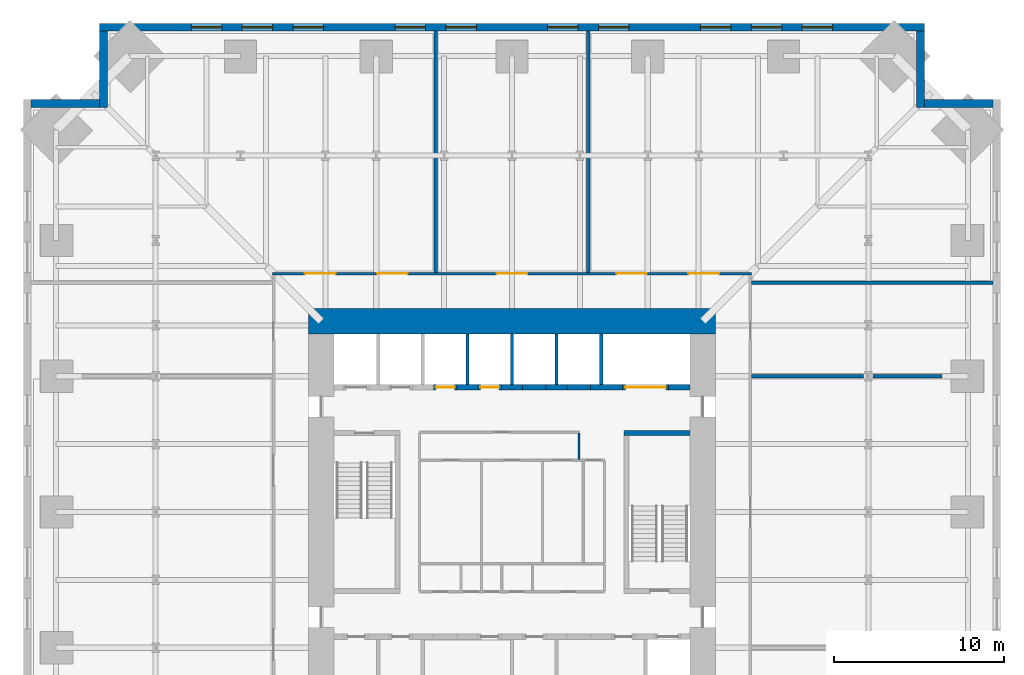
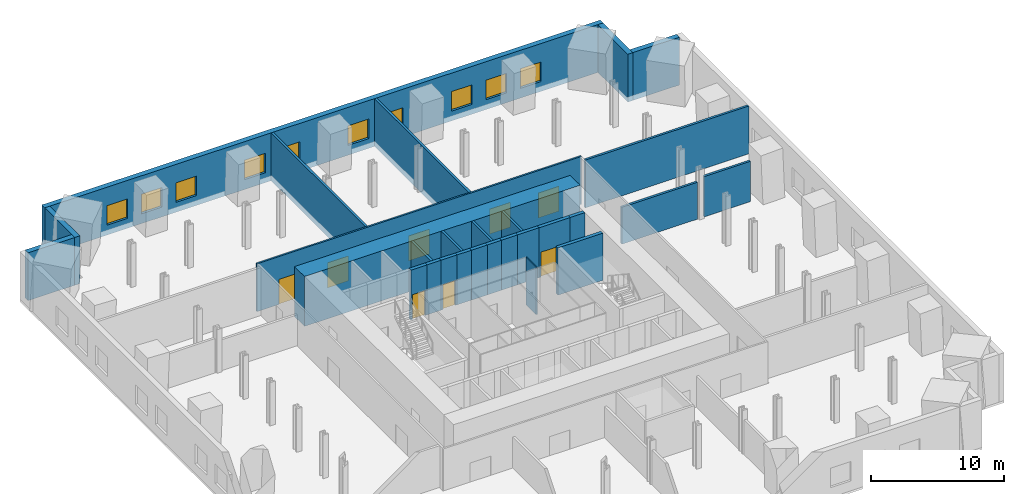
# One storey, part 7 of 9: 28 walls, 10 windows, 8 doors, 18 openings.
"""IFC4 building model written with IfcOpenShell, lengths in metres."""

from ifc_helpers import new_model, si_unit, direction, frame, frame_2d, origin, place, context, subcontext, project, spatial, rectangle, extrude, material, layer, layer_set, type_object, element, fill, save


model = new_model("IFC4")

# Units and contexts
model_context = context("Model", 3, precision=1e-05, world=origin(), true_north=direction((0.0, 1.0)))
body_context = subcontext(model_context, "Body", "Model", "MODEL_VIEW")
ifc_project = project(units=[si_unit("LENGTHUNIT", "METRE"), si_unit("AREAUNIT", "SQUARE_METRE"), si_unit("VOLUMEUNIT", "CUBIC_METRE"), si_unit("PLANEANGLEUNIT", "RADIAN"), si_unit("MASSUNIT", "GRAM", prefix="KILO")], contexts=[model_context])

# Site, building, storey
site_placement = place(None, origin())
site = spatial("IfcSite", under=ifc_project, at=site_placement, CompositionType="ELEMENT")
building_placement = place(site_placement, origin())
building = spatial("IfcBuilding", under=site, at=building_placement, Name="Peilmerk Tower", CompositionType="ELEMENT")
storey_placement = place(building_placement, frame((0.0, 0.0, 99.800048828125)))
storey = spatial("IfcBuildingStorey", under=building, at=storey_placement, Name="L19", CompositionType="ELEMENT", Elevation=99.800048828125)

# Wall, openings, windows
ifc_material_1 = material(Name="Precast concrete C45/55, board-marked finish", Category="concrete")
ifc_layer_1 = layer(ifc_material_1, 0.449951171875)
ifc_layer_set_1 = layer_set([ifc_layer_1], Name="Precast concrete C45/55, board-marked finish")
wall_type_1 = type_object("IfcWallType", Name="EW1 450 precast concrete facade wall, board-marked", PredefinedType="SOLIDWALL", material=ifc_layer_set_1)
wall_1_placement = place(storey_placement, frame((24.300048828125, 28.574951171875, 0.0), z_axis=(0.0, 0.0, 1.0), x_axis=(-1.0, 0.0, 0.0)))
wall_1 = element("IfcWall", 1, at=wall_1_placement, inside=storey, type_object=wall_type_1, Name="Facade wall N L19", PredefinedType="SOLIDWALL", context=body_context, shape_type="SweptSolid", body=[
    extrude(rectangle(XDim=48.60009765625, YDim=0.449951171875, at=frame_2d((24.300048828125, 0.0))), origin(), (0.0, 0.0, 1.0), 4.39990234375),
])
opening_1_placement = place(wall_1_placement, frame((5.39990234375, 0.0, 0.89990234375)))
opening_1 = element("IfcOpeningElement", 2, at=opening_1_placement, cuts=wall_1, Name="Opening W3", PredefinedType="OPENING", context=body_context, shape_type="SweptSolid", body=[
    extrude(rectangle(XDim=1.800048828125, YDim=1.800048828125, at=frame_2d((0.89990234375, 0.89990234375))), frame((0.0, 0.23486328125, 0.0), z_axis=(0.0, -1.0, 0.0), x_axis=(1.0, 0.0, 0.0)), (0.0, 0.0, 1.0), 0.469970703125),
])
opening_2_placement = place(wall_1_placement, frame((8.39990234375, 0.0, 0.89990234375)))
opening_2 = element("IfcOpeningElement", 3, at=opening_2_placement, cuts=wall_1, Name="Opening W3", PredefinedType="OPENING", context=body_context, shape_type="SweptSolid", body=[
    extrude(rectangle(XDim=1.800048828125, YDim=1.800048828125, at=frame_2d((0.89990234375, 0.89990234375))), frame((0.0, 0.23486328125, 0.0), z_axis=(0.0, -1.0, 0.0), x_axis=(1.0, 0.0, 0.0)), (0.0, 0.0, 1.0), 0.469970703125),
])
opening_3_placement = place(wall_1_placement, frame((11.39990234375, 0.0, 0.89990234375)))
opening_3 = element("IfcOpeningElement", 4, at=opening_3_placement, cuts=wall_1, Name="Opening W3", PredefinedType="OPENING", context=body_context, shape_type="SweptSolid", body=[
    extrude(rectangle(XDim=1.800048828125, YDim=1.800048828125, at=frame_2d((0.89990234375, 0.89990234375))), frame((0.0, 0.23486328125, 0.0), z_axis=(0.0, -1.0, 0.0), x_axis=(1.0, 0.0, 0.0)), (0.0, 0.0, 1.0), 0.469970703125),
])
opening_4_placement = place(wall_1_placement, frame((17.39990234375, 0.0, 0.89990234375)))
opening_4 = element("IfcOpeningElement", 5, at=opening_4_placement, cuts=wall_1, Name="Opening W3", PredefinedType="OPENING", context=body_context, shape_type="SweptSolid", body=[
    extrude(rectangle(XDim=1.800048828125, YDim=1.800048828125, at=frame_2d((0.89990234375, 0.89990234375))), frame((0.0, 0.23486328125, 0.0), z_axis=(0.0, -1.0, 0.0), x_axis=(1.0, 0.0, 0.0)), (0.0, 0.0, 1.0), 0.469970703125),
])
opening_5_placement = place(wall_1_placement, frame((20.39990234375, 0.0, 0.89990234375)))
opening_5 = element("IfcOpeningElement", 6, at=opening_5_placement, cuts=wall_1, Name="Opening W3", PredefinedType="OPENING", context=body_context, shape_type="SweptSolid", body=[
    extrude(rectangle(XDim=1.800048828125, YDim=1.800048828125, at=frame_2d((0.89990234375, 0.89990234375))), frame((0.0, 0.23486328125, 0.0), z_axis=(0.0, -1.0, 0.0), x_axis=(1.0, 0.0, 0.0)), (0.0, 0.0, 1.0), 0.469970703125),
])
opening_6_placement = place(wall_1_placement, frame((26.39990234375, 0.0, 0.89990234375)))
opening_6 = element("IfcOpeningElement", 7, at=opening_6_placement, cuts=wall_1, Name="Opening W3", PredefinedType="OPENING", context=body_context, shape_type="SweptSolid", body=[
    extrude(rectangle(XDim=1.800048828125, YDim=1.800048828125, at=frame_2d((0.89990234375, 0.89990234375))), frame((0.0, 0.23486328125, 0.0), z_axis=(0.0, -1.0, 0.0), x_axis=(1.0, 0.0, 0.0)), (0.0, 0.0, 1.0), 0.469970703125),
])
opening_7_placement = place(wall_1_placement, frame((29.39990234375, 0.0, 0.89990234375)))
opening_7 = element("IfcOpeningElement", 8, at=opening_7_placement, cuts=wall_1, Name="Opening W3", PredefinedType="OPENING", context=body_context, shape_type="SweptSolid", body=[
    extrude(rectangle(XDim=1.800048828125, YDim=1.800048828125, at=frame_2d((0.89990234375, 0.89990234375))), frame((0.0, 0.23486328125, 0.0), z_axis=(0.0, -1.0, 0.0), x_axis=(1.0, 0.0, 0.0)), (0.0, 0.0, 1.0), 0.469970703125),
])
opening_8_placement = place(wall_1_placement, frame((35.39990234375, 0.0, 0.89990234375)))
opening_8 = element("IfcOpeningElement", 9, at=opening_8_placement, cuts=wall_1, Name="Opening W3", PredefinedType="OPENING", context=body_context, shape_type="SweptSolid", body=[
    extrude(rectangle(XDim=1.800048828125, YDim=1.800048828125, at=frame_2d((0.89990234375, 0.89990234375))), frame((0.0, 0.23486328125, 0.0), z_axis=(0.0, -1.0, 0.0), x_axis=(1.0, 0.0, 0.0)), (0.0, 0.0, 1.0), 0.469970703125),
])
opening_9_placement = place(wall_1_placement, frame((38.39990234375, 0.0, 0.89990234375)))
opening_9 = element("IfcOpeningElement", 10, at=opening_9_placement, cuts=wall_1, Name="Opening W3", PredefinedType="OPENING", context=body_context, shape_type="SweptSolid", body=[
    extrude(rectangle(XDim=1.800048828125, YDim=1.800048828125, at=frame_2d((0.89990234375, 0.89990234375))), frame((0.0, 0.23486328125, 0.0), z_axis=(0.0, -1.0, 0.0), x_axis=(1.0, 0.0, 0.0)), (0.0, 0.0, 1.0), 0.469970703125),
])
opening_10_placement = place(wall_1_placement, frame((41.39990234375, 0.0, 0.89990234375)))
opening_10 = element("IfcOpeningElement", 11, at=opening_10_placement, cuts=wall_1, Name="Opening W3", PredefinedType="OPENING", context=body_context, shape_type="SweptSolid", body=[
    extrude(rectangle(XDim=1.800048828125, YDim=1.800048828125, at=frame_2d((0.89990234375, 0.89990234375))), frame((0.0, 0.23486328125, 0.0), z_axis=(0.0, -1.0, 0.0), x_axis=(1.0, 0.0, 0.0)), (0.0, 0.0, 1.0), 0.469970703125),
])
ifc_material_2 = material(Name="Aluminium frame, clear double glazing", Category="aluminium")
window_type = type_object("IfcWindowType", Name="W3 1800x1800 telecom floor window", PartitioningType="SINGLE_PANEL", PredefinedType="WINDOW", material=ifc_material_2)
window_1_placement = place(opening_1_placement, origin())
window_1 = element("IfcWindow", 12, at=window_1_placement, inside=storey, type_object=window_type, Name="Window W3 L19", OverallHeight=1.800048828125, OverallWidth=1.800048828125, PartitioningType="SINGLE_PANEL", PredefinedType="WINDOW", context=body_context, shape_type="SweptSolid", body=[
    extrude(rectangle(XDim=1.800048828125, YDim=1.800048828125, at=frame_2d((0.89990234375, 0.89990234375))), frame((0.0, 0.030029296875, 0.0), z_axis=(0.0, -1.0, 0.0), x_axis=(1.0, 0.0, 0.0)), (0.0, 0.0, 1.0), 0.06005859375),
])
fill(opening_1, window_1)
window_2_placement = place(opening_2_placement, origin())
window_2 = element("IfcWindow", 13, at=window_2_placement, inside=storey, type_object=window_type, Name="Window W3 L19", OverallHeight=1.800048828125, OverallWidth=1.800048828125, PartitioningType="SINGLE_PANEL", PredefinedType="WINDOW", context=body_context, shape_type="SweptSolid", body=[
    extrude(rectangle(XDim=1.800048828125, YDim=1.800048828125, at=frame_2d((0.89990234375, 0.89990234375))), frame((0.0, 0.030029296875, 0.0), z_axis=(0.0, -1.0, 0.0), x_axis=(1.0, 0.0, 0.0)), (0.0, 0.0, 1.0), 0.06005859375),
])
fill(opening_2, window_2)
window_3_placement = place(opening_3_placement, origin())
window_3 = element("IfcWindow", 14, at=window_3_placement, inside=storey, type_object=window_type, Name="Window W3 L19", OverallHeight=1.800048828125, OverallWidth=1.800048828125, PartitioningType="SINGLE_PANEL", PredefinedType="WINDOW", context=body_context, shape_type="SweptSolid", body=[
    extrude(rectangle(XDim=1.800048828125, YDim=1.800048828125, at=frame_2d((0.89990234375, 0.89990234375))), frame((0.0, 0.030029296875, 0.0), z_axis=(0.0, -1.0, 0.0), x_axis=(1.0, 0.0, 0.0)), (0.0, 0.0, 1.0), 0.06005859375),
])
fill(opening_3, window_3)
window_4_placement = place(opening_4_placement, origin())
window_4 = element("IfcWindow", 15, at=window_4_placement, inside=storey, type_object=window_type, Name="Window W3 L19", OverallHeight=1.800048828125, OverallWidth=1.800048828125, PartitioningType="SINGLE_PANEL", PredefinedType="WINDOW", context=body_context, shape_type="SweptSolid", body=[
    extrude(rectangle(XDim=1.800048828125, YDim=1.800048828125, at=frame_2d((0.89990234375, 0.89990234375))), frame((0.0, 0.030029296875, 0.0), z_axis=(0.0, -1.0, 0.0), x_axis=(1.0, 0.0, 0.0)), (0.0, 0.0, 1.0), 0.06005859375),
])
fill(opening_4, window_4)
window_5_placement = place(opening_5_placement, origin())
window_5 = element("IfcWindow", 16, at=window_5_placement, inside=storey, type_object=window_type, Name="Window W3 L19", OverallHeight=1.800048828125, OverallWidth=1.800048828125, PartitioningType="SINGLE_PANEL", PredefinedType="WINDOW", context=body_context, shape_type="SweptSolid", body=[
    extrude(rectangle(XDim=1.800048828125, YDim=1.800048828125, at=frame_2d((0.89990234375, 0.89990234375))), frame((0.0, 0.030029296875, 0.0), z_axis=(0.0, -1.0, 0.0), x_axis=(1.0, 0.0, 0.0)), (0.0, 0.0, 1.0), 0.06005859375),
])
fill(opening_5, window_5)
window_6_placement = place(opening_6_placement, origin())
window_6 = element("IfcWindow", 17, at=window_6_placement, inside=storey, type_object=window_type, Name="Window W3 L19", OverallHeight=1.800048828125, OverallWidth=1.800048828125, PartitioningType="SINGLE_PANEL", PredefinedType="WINDOW", context=body_context, shape_type="SweptSolid", body=[
    extrude(rectangle(XDim=1.800048828125, YDim=1.800048828125, at=frame_2d((0.89990234375, 0.89990234375))), frame((0.0, 0.030029296875, 0.0), z_axis=(0.0, -1.0, 0.0), x_axis=(1.0, 0.0, 0.0)), (0.0, 0.0, 1.0), 0.06005859375),
])
fill(opening_6, window_6)
window_7_placement = place(opening_7_placement, origin())
window_7 = element("IfcWindow", 18, at=window_7_placement, inside=storey, type_object=window_type, Name="Window W3 L19", OverallHeight=1.800048828125, OverallWidth=1.800048828125, PartitioningType="SINGLE_PANEL", PredefinedType="WINDOW", context=body_context, shape_type="SweptSolid", body=[
    extrude(rectangle(XDim=1.800048828125, YDim=1.800048828125, at=frame_2d((0.89990234375, 0.89990234375))), frame((0.0, 0.030029296875, 0.0), z_axis=(0.0, -1.0, 0.0), x_axis=(1.0, 0.0, 0.0)), (0.0, 0.0, 1.0), 0.06005859375),
])
fill(opening_7, window_7)
window_8_placement = place(opening_8_placement, origin())
window_8 = element("IfcWindow", 19, at=window_8_placement, inside=storey, type_object=window_type, Name="Window W3 L19", OverallHeight=1.800048828125, OverallWidth=1.800048828125, PartitioningType="SINGLE_PANEL", PredefinedType="WINDOW", context=body_context, shape_type="SweptSolid", body=[
    extrude(rectangle(XDim=1.800048828125, YDim=1.800048828125, at=frame_2d((0.89990234375, 0.89990234375))), frame((0.0, 0.030029296875, 0.0), z_axis=(0.0, -1.0, 0.0), x_axis=(1.0, 0.0, 0.0)), (0.0, 0.0, 1.0), 0.06005859375),
])
fill(opening_8, window_8)
window_9_placement = place(opening_9_placement, origin())
window_9 = element("IfcWindow", 20, at=window_9_placement, inside=storey, type_object=window_type, Name="Window W3 L19", OverallHeight=1.800048828125, OverallWidth=1.800048828125, PartitioningType="SINGLE_PANEL", PredefinedType="WINDOW", context=body_context, shape_type="SweptSolid", body=[
    extrude(rectangle(XDim=1.800048828125, YDim=1.800048828125, at=frame_2d((0.89990234375, 0.89990234375))), frame((0.0, 0.030029296875, 0.0), z_axis=(0.0, -1.0, 0.0), x_axis=(1.0, 0.0, 0.0)), (0.0, 0.0, 1.0), 0.06005859375),
])
fill(opening_9, window_9)
window_10_placement = place(opening_10_placement, origin())
window_10 = element("IfcWindow", 21, at=window_10_placement, inside=storey, type_object=window_type, Name="Window W3 L19", OverallHeight=1.800048828125, OverallWidth=1.800048828125, PartitioningType="SINGLE_PANEL", PredefinedType="WINDOW", context=body_context, shape_type="SweptSolid", body=[
    extrude(rectangle(XDim=1.800048828125, YDim=1.800048828125, at=frame_2d((0.89990234375, 0.89990234375))), frame((0.0, 0.030029296875, 0.0), z_axis=(0.0, -1.0, 0.0), x_axis=(1.0, 0.0, 0.0)), (0.0, 0.0, 1.0), 0.06005859375),
])
fill(opening_10, window_10)

# Walls
wall_2_placement = place(storey_placement, frame((24.074951171875, 23.85009765625, 0.0), z_axis=(0.0, 0.0, 1.0), x_axis=(0.0, 1.0, 0.0)))
element("IfcWall", 22, at=wall_2_placement, inside=storey, type_object=wall_type_1, Name="Facade wall NEA L19", PredefinedType="SOLIDWALL", context=body_context, shape_type="SweptSolid", body=[
    extrude(rectangle(XDim=4.5, YDim=0.449951171875, at=frame_2d((2.25, 0.0))), origin(), (0.0, 0.0, 1.0), 4.39990234375),
])
wall_3_placement = place(storey_placement, frame((24.300048828125, 24.074951171875, 0.0), z_axis=(0.0, 0.0, 1.0), x_axis=(1.0, 0.0, 0.0)))
element("IfcWall", 23, at=wall_3_placement, inside=storey, type_object=wall_type_1, Name="Facade wall NEB L19", PredefinedType="SOLIDWALL", context=body_context, shape_type="SweptSolid", body=[
    extrude(rectangle(XDim=4.050048828125, YDim=0.449951171875, at=frame_2d((2.02490234375, 0.0))), origin(), (0.0, 0.0, 1.0), 4.39990234375),
])
wall_4_placement = place(storey_placement, frame((-24.074951171875, 23.85009765625, 0.0), z_axis=(0.0, 0.0, 1.0), x_axis=(0.0, 1.0, 0.0)))
element("IfcWall", 24, at=wall_4_placement, inside=storey, type_object=wall_type_1, Name="Facade wall NWA L19", PredefinedType="SOLIDWALL", context=body_context, shape_type="SweptSolid", body=[
    extrude(rectangle(XDim=4.5, YDim=0.449951171875, at=frame_2d((2.25, 0.0))), origin(), (0.0, 0.0, 1.0), 4.39990234375),
])
wall_5_placement = place(storey_placement, frame((-24.300048828125, 24.074951171875, 0.0), z_axis=(0.0, 0.0, 1.0), x_axis=(-1.0, 0.0, 0.0)))
element("IfcWall", 25, at=wall_5_placement, inside=storey, type_object=wall_type_1, Name="Facade wall NWB L19", PredefinedType="SOLIDWALL", context=body_context, shape_type="SweptSolid", body=[
    extrude(rectangle(XDim=4.050048828125, YDim=0.449951171875, at=frame_2d((2.02490234375, 0.0))), origin(), (0.0, 0.0, 1.0), 4.39990234375),
])

# Wall, openings, doors
ifc_material_3 = material(Name="Calcium silicate block", Category="masonry")
ifc_layer_2 = layer(ifc_material_3, 0.14990234375)
ifc_layer_set_2 = layer_set([ifc_layer_2], Name="Calcium silicate block")
wall_type_2 = type_object("IfcWallType", Name="IW1 150 corridor partition, EI 60", PredefinedType="PARTITIONING", material=ifc_layer_set_2)
wall_6_placement = place(storey_placement, frame((-14.125, 14.050048828125, 0.0), z_axis=(0.0, 0.0, 1.0), x_axis=(1.0, 0.0, 0.0)))
wall_6 = element("IfcWall", 26, at=wall_6_placement, inside=storey, type_object=wall_type_2, Name="Corridor wall N L19", PredefinedType="PARTITIONING", context=body_context, shape_type="SweptSolid", body=[
    extrude(rectangle(XDim=28.25, YDim=0.14990234375, at=frame_2d((14.125, 0.0))), origin(), (0.0, 0.0, 1.0), 4.39990234375),
])
opening_11_placement = place(wall_6_placement, frame((1.925048828125, 0.0, 0.0)))
opening_11 = element("IfcOpeningElement", 27, at=opening_11_placement, cuts=wall_6, Name="Opening D2", PredefinedType="OPENING", context=body_context, shape_type="SweptSolid", body=[
    extrude(rectangle(XDim=1.800048828125, YDim=2.300048828125, at=frame_2d((0.89990234375, 1.14990234375))), frame((0.0, 0.0849609375, 0.0), z_axis=(0.0, -1.0, 0.0), x_axis=(1.0, 0.0, 0.0)), (0.0, 0.0, 1.0), 0.169921875),
])
opening_12_placement = place(wall_6_placement, frame((6.175048828125, 0.0, 0.0)))
opening_12 = element("IfcOpeningElement", 28, at=opening_12_placement, cuts=wall_6, Name="Opening D2", PredefinedType="OPENING", context=body_context, shape_type="SweptSolid", body=[
    extrude(rectangle(XDim=1.800048828125, YDim=2.300048828125, at=frame_2d((0.89990234375, 1.14990234375))), frame((0.0, 0.0849609375, 0.0), z_axis=(0.0, -1.0, 0.0), x_axis=(1.0, 0.0, 0.0)), (0.0, 0.0, 1.0), 0.169921875),
])
opening_13_placement = place(wall_6_placement, frame((13.22509765625, 0.0, 0.0)))
opening_13 = element("IfcOpeningElement", 29, at=opening_13_placement, cuts=wall_6, Name="Opening D2", PredefinedType="OPENING", context=body_context, shape_type="SweptSolid", body=[
    extrude(rectangle(XDim=1.800048828125, YDim=2.300048828125, at=frame_2d((0.89990234375, 1.14990234375))), frame((0.0, 0.0849609375, 0.0), z_axis=(0.0, -1.0, 0.0), x_axis=(1.0, 0.0, 0.0)), (0.0, 0.0, 1.0), 0.169921875),
])
opening_14_placement = place(wall_6_placement, frame((20.27490234375, 0.0, 0.0)))
opening_14 = element("IfcOpeningElement", 30, at=opening_14_placement, cuts=wall_6, Name="Opening D2", PredefinedType="OPENING", context=body_context, shape_type="SweptSolid", body=[
    extrude(rectangle(XDim=1.800048828125, YDim=2.300048828125, at=frame_2d((0.89990234375, 1.14990234375))), frame((0.0, 0.0849609375, 0.0), z_axis=(0.0, -1.0, 0.0), x_axis=(1.0, 0.0, 0.0)), (0.0, 0.0, 1.0), 0.169921875),
])
opening_15_placement = place(wall_6_placement, frame((24.52490234375, 0.0, 0.0)))
opening_15 = element("IfcOpeningElement", 31, at=opening_15_placement, cuts=wall_6, Name="Opening D2", PredefinedType="OPENING", context=body_context, shape_type="SweptSolid", body=[
    extrude(rectangle(XDim=1.800048828125, YDim=2.300048828125, at=frame_2d((0.89990234375, 1.14990234375))), frame((0.0, 0.0849609375, 0.0), z_axis=(0.0, -1.0, 0.0), x_axis=(1.0, 0.0, 0.0)), (0.0, 0.0, 1.0), 0.169921875),
])
ifc_material_4 = material(Name="Steel door in steel frame", Category="steel")
door_type_1 = type_object("IfcDoorType", Name="D2 1800x2300 double door, EI2 60", OperationType="DOUBLE_DOOR_DOUBLE_SWING", PredefinedType="DOOR", material=ifc_material_4)
door_1_placement = place(opening_11_placement, origin())
door_1 = element("IfcDoor", 32, at=door_1_placement, inside=storey, type_object=door_type_1, Name="Door Telecom equipment room A L19", OperationType="DOUBLE_DOOR_DOUBLE_SWING", OverallHeight=2.300048828125, OverallWidth=1.800048828125, PredefinedType="DOOR", context=body_context, shape_type="SweptSolid", body=[
    extrude(rectangle(XDim=1.800048828125, YDim=2.300048828125, at=frame_2d((0.89990234375, 1.14990234375))), frame((0.0, 0.02490234375, 0.0), z_axis=(0.0, -1.0, 0.0), x_axis=(1.0, 0.0, 0.0)), (0.0, 0.0, 1.0), 0.050048828125),
])
fill(opening_11, door_1)
door_2_placement = place(opening_12_placement, origin())
door_2 = element("IfcDoor", 33, at=door_2_placement, inside=storey, type_object=door_type_1, Name="Door Telecom equipment room A L19", OperationType="DOUBLE_DOOR_DOUBLE_SWING", OverallHeight=2.300048828125, OverallWidth=1.800048828125, PredefinedType="DOOR", context=body_context, shape_type="SweptSolid", body=[
    extrude(rectangle(XDim=1.800048828125, YDim=2.300048828125, at=frame_2d((0.89990234375, 1.14990234375))), frame((0.0, 0.02490234375, 0.0), z_axis=(0.0, -1.0, 0.0), x_axis=(1.0, 0.0, 0.0)), (0.0, 0.0, 1.0), 0.050048828125),
])
fill(opening_12, door_2)
door_3_placement = place(opening_13_placement, origin())
door_3 = element("IfcDoor", 34, at=door_3_placement, inside=storey, type_object=door_type_1, Name="Door Telecom equipment room B L19", OperationType="DOUBLE_DOOR_DOUBLE_SWING", OverallHeight=2.300048828125, OverallWidth=1.800048828125, PredefinedType="DOOR", context=body_context, shape_type="SweptSolid", body=[
    extrude(rectangle(XDim=1.800048828125, YDim=2.300048828125, at=frame_2d((0.89990234375, 1.14990234375))), frame((0.0, 0.02490234375, 0.0), z_axis=(0.0, -1.0, 0.0), x_axis=(1.0, 0.0, 0.0)), (0.0, 0.0, 1.0), 0.050048828125),
])
fill(opening_13, door_3)
door_4_placement = place(opening_14_placement, origin())
door_4 = element("IfcDoor", 35, at=door_4_placement, inside=storey, type_object=door_type_1, Name="Door Telecom equipment room C L19", OperationType="DOUBLE_DOOR_DOUBLE_SWING", OverallHeight=2.300048828125, OverallWidth=1.800048828125, PredefinedType="DOOR", context=body_context, shape_type="SweptSolid", body=[
    extrude(rectangle(XDim=1.800048828125, YDim=2.300048828125, at=frame_2d((0.89990234375, 1.14990234375))), frame((0.0, 0.02490234375, 0.0), z_axis=(0.0, -1.0, 0.0), x_axis=(1.0, 0.0, 0.0)), (0.0, 0.0, 1.0), 0.050048828125),
])
fill(opening_14, door_4)
door_5_placement = place(opening_15_placement, origin())
door_5 = element("IfcDoor", 36, at=door_5_placement, inside=storey, type_object=door_type_1, Name="Door Telecom equipment room C L19", OperationType="DOUBLE_DOOR_DOUBLE_SWING", OverallHeight=2.300048828125, OverallWidth=1.800048828125, PredefinedType="DOOR", context=body_context, shape_type="SweptSolid", body=[
    extrude(rectangle(XDim=1.800048828125, YDim=2.300048828125, at=frame_2d((0.89990234375, 1.14990234375))), frame((0.0, 0.02490234375, 0.0), z_axis=(0.0, -1.0, 0.0), x_axis=(1.0, 0.0, 0.0)), (0.0, 0.0, 1.0), 0.050048828125),
])
fill(opening_15, door_5)

# Walls
ifc_layer_3 = layer(ifc_material_3, 0.199951171875)
ifc_layer_set_3 = layer_set([ifc_layer_3], Name="Calcium silicate block")
wall_type_3 = type_object("IfcWallType", Name="IW2 200 room separating wall, EI 120", PredefinedType="PARTITIONING", material=ifc_layer_set_3)
for number, where, z_axis, x_axis, name in (
    (37, (14.125, 13.5, 0.0), (0.0, 0.0, 1.0), (1.0, 0.0, 0.0), "Room separating wall NE L19"),
    (38, (-4.5, 14.125, 0.0), (0.0, 0.0, 1.0), (0.0, 1.0, 0.0), "Room separating wall N1 L19"),
    (39, (4.5, 14.125, 0.0), (0.0, 0.0, 1.0), (0.0, 1.0, 0.0), "Room separating wall N2 L19"),
):
    element("IfcWall", number, at=place(storey_placement, frame(where, z_axis=z_axis, x_axis=x_axis)), inside=storey, type_object=wall_type_3, Name=name, PredefinedType="PARTITIONING", context=body_context, shape_type="SweptSolid", body=[
        extrude(rectangle(XDim=14.22509765625, YDim=0.199951171875, at=frame_2d((7.112548828125, 0.0))), origin(), (0.0, 0.0, 1.0), 4.39990234375),
    ])
wall_7_placement = place(storey_placement, frame((14.125, 8.0, 0.0), z_axis=(0.0, 0.0, 1.0), x_axis=(1.0, 0.0, 0.0)))
element("IfcWall", 40, at=wall_7_placement, inside=storey, type_object=wall_type_3, Name="Room separating wall E2 L19", PredefinedType="PARTITIONING", context=body_context, shape_type="SweptSolid", body=[
    extrude(rectangle(XDim=6.590576171875, YDim=0.199951171875, at=frame_2d((3.29541015625, 0.0))), origin(), (0.0, 0.0, 1.0), 3.391845703125),
])
wall_8_placement = place(storey_placement, frame((21.284423828125, 8.0, 0.0), z_axis=(0.0, 0.0, 1.0), x_axis=(1.0, 0.0, 0.0)))
element("IfcWall", 41, at=wall_8_placement, inside=storey, type_object=wall_type_3, Name="Room separating wall E2b L19", PredefinedType="PARTITIONING", context=body_context, shape_type="SweptSolid", body=[
    extrude(rectangle(XDim=4.05908203125, YDim=0.199951171875, at=frame_2d((2.029541015625, 0.0))), origin(), (0.0, 0.0, 1.0), 3.7099609375),
])
ifc_material_5 = material(Name="Concrete C35/45", Category="concrete")
ifc_layer_4 = layer(ifc_material_5, 0.300048828125)
ifc_layer_set_4 = layer_set([ifc_layer_4], Name="Concrete C35/45")
wall_type_4 = type_object("IfcWallType", Name="IW3 300 concrete stair enclosure wall, EI 120", PredefinedType="SOLIDWALL", material=ifc_layer_set_4)
wall_9_placement = place(storey_placement, frame((6.60009765625, 4.64990234375, 0.0), z_axis=(0.0, 0.0, 1.0), x_axis=(1.0, 0.0, 0.0)))
element("IfcWall", 42, at=wall_9_placement, inside=storey, type_object=wall_type_4, Name="Stair 2 enclosure L19", PredefinedType="SOLIDWALL", context=body_context, shape_type="SweptSolid", body=[
    extrude(rectangle(XDim=3.89990234375, YDim=0.300048828125, at=frame_2d((1.949951171875, 0.0))), origin(), (0.0, 0.0, 1.0), 4.349853515625),
])
ifc_material_6 = material(Name="Fire-resisting plasterboard on steel studs", Category="steel")
ifc_layer_5 = layer(ifc_material_6, 0.10009765625)
ifc_layer_set_5 = layer_set([ifc_layer_5], Name="Fire-resisting plasterboard on steel studs")
wall_type_5 = type_object("IfcWallType", Name="IW9 100 WC lobby wall, EI 30", PredefinedType="PARTITIONING", material=ifc_layer_set_5)
wall_10_placement = place(storey_placement, frame((3.949951171875, 3.10009765625, 0.0), z_axis=(0.0, 0.0, 1.0), x_axis=(0.0, 1.0, 0.0)))
element("IfcWall", 43, at=wall_10_placement, inside=storey, type_object=wall_type_5, Name="WC lobby wall L19", PredefinedType="PARTITIONING", context=body_context, shape_type="SweptSolid", body=[
    extrude(rectangle(XDim=1.5498046875, YDim=0.10009765625, at=frame_2d((0.77490234375, 0.0))), origin(), (0.0, 0.0, 1.0), 4.349853515625),
])
ifc_layer_6 = layer(ifc_material_3, 0.199951171875)
ifc_layer_set_6 = layer_set([ifc_layer_6], Name="Calcium silicate block")
wall_type_6 = type_object("IfcWallType", Name="SH1 200 shaft dividing wall, EI 120", PredefinedType="PARTITIONING", material=ifc_layer_set_6)
for number, where, z_axis, x_axis, name in (
    (44, (-2.625, 7.5, 0.0), (0.0, 0.0, 1.0), (0.0, 1.0, 0.0), "Shaft wall N A2 L19"),
    (45, (0.0, 7.5, 0.0), (0.0, 0.0, 1.0), (0.0, 1.0, 0.0), "Shaft wall N A3 L19"),
    (46, (2.625, 7.5, 0.0), (0.0, 0.0, 1.0), (0.0, 1.0, 0.0), "Shaft wall N S1 L19"),
    (47, (5.25, 7.5, 0.0), (0.0, 0.0, 1.0), (0.0, 1.0, 0.0), "Shaft wall N S2 L19"),
):
    element("IfcWall", number, at=place(storey_placement, frame(where, z_axis=z_axis, x_axis=x_axis)), inside=storey, type_object=wall_type_6, Name=name, PredefinedType="PARTITIONING", context=body_context, shape_type="SweptSolid", body=[
        extrude(rectangle(XDim=3.0, YDim=0.199951171875, at=frame_2d((1.5, 0.0))), origin(), (0.0, 0.0, 1.0), 4.599853515625),
    ])

# Wall, opening, door
ifc_layer_7 = layer(ifc_material_3, 0.300048828125)
ifc_layer_set_7 = layer_set([ifc_layer_7], Name="Calcium silicate block")
wall_type_7 = type_object("IfcWallType", Name="SH2 300 lift landing door panel, EI 120", PredefinedType="PARTITIONING", material=ifc_layer_set_7)
wall_11_placement = place(storey_placement, frame((-4.637451171875, 7.35009765625, 0.0), z_axis=(0.0, 0.0, 1.0), x_axis=(1.0, 0.0, 0.0)))
wall_11 = element("IfcWall", 48, at=wall_11_placement, inside=storey, type_object=wall_type_7, Name="Lift door panel N A2 L19", PredefinedType="PARTITIONING", context=body_context, shape_type="SweptSolid", body=[
    extrude(rectangle(XDim=1.39990234375, YDim=0.300048828125, at=frame_2d((0.699951171875, 0.0))), origin(), (0.0, 0.0, 1.0), 4.599853515625),
])
opening_16_placement = place(wall_11_placement, frame((0.14990234375, 0.0, 0.0)))
opening_16 = element("IfcOpeningElement", 49, at=opening_16_placement, cuts=wall_11, Name="Opening LD1", PredefinedType="OPENING", context=body_context, shape_type="SweptSolid", body=[
    extrude(rectangle(XDim=1.10009765625, YDim=2.300048828125, at=frame_2d((0.550048828125, 1.14990234375))), frame((0.0, 0.159912109375, 0.0), z_axis=(0.0, -1.0, 0.0), x_axis=(1.0, 0.0, 0.0)), (0.0, 0.0, 1.0), 0.320068359375),
])
ifc_material_7 = material(Name="Stainless steel landing door", Category="steel")
door_type_2 = type_object("IfcDoorType", Name="LD1 1100x2300 lift landing door, sliding, EI2 60", OperationType="SLIDING_TO_LEFT", PredefinedType="DOOR", material=ifc_material_7)
door_6_placement = place(opening_16_placement, frame((1.10009765625, 0.0, 0.0), z_axis=(0.0, 0.0, 1.0), x_axis=(-1.0, 0.0, 0.0)))
door_6 = element("IfcDoor", 50, at=door_6_placement, inside=storey, type_object=door_type_2, Name="Lift landing door A2 L19", OperationType="SLIDING_TO_LEFT", OverallHeight=2.300048828125, OverallWidth=1.10009765625, PredefinedType="DOOR", context=body_context, shape_type="SweptSolid", body=[
    extrude(rectangle(XDim=1.10009765625, YDim=2.300048828125, at=frame_2d((0.550048828125, 1.14990234375))), frame((0.0, 0.02490234375, 0.0), z_axis=(0.0, -1.0, 0.0), x_axis=(1.0, 0.0, 0.0)), (0.0, 0.0, 1.0), 0.050048828125),
])
fill(opening_16, door_6)

wall_12_placement = place(storey_placement, frame((-2.012451171875, 7.35009765625, 0.0), z_axis=(0.0, 0.0, 1.0), x_axis=(1.0, 0.0, 0.0)))
wall_12 = element("IfcWall", 51, at=wall_12_placement, inside=storey, type_object=wall_type_7, Name="Lift door panel N A3 L19", PredefinedType="PARTITIONING", context=body_context, shape_type="SweptSolid", body=[
    extrude(rectangle(XDim=1.39990234375, YDim=0.300048828125, at=frame_2d((0.699951171875, 0.0))), origin(), (0.0, 0.0, 1.0), 4.599853515625),
])
opening_17_placement = place(wall_12_placement, frame((0.14990234375, 0.0, 0.0)))
opening_17 = element("IfcOpeningElement", 52, at=opening_17_placement, cuts=wall_12, Name="Opening LD1", PredefinedType="OPENING", context=body_context, shape_type="SweptSolid", body=[
    extrude(rectangle(XDim=1.10009765625, YDim=2.300048828125, at=frame_2d((0.550048828125, 1.14990234375))), frame((0.0, 0.159912109375, 0.0), z_axis=(0.0, -1.0, 0.0), x_axis=(1.0, 0.0, 0.0)), (0.0, 0.0, 1.0), 0.320068359375),
])
door_7_placement = place(opening_17_placement, frame((1.10009765625, 0.0, 0.0), z_axis=(0.0, 0.0, 1.0), x_axis=(-1.0, 0.0, 0.0)))
door_7 = element("IfcDoor", 53, at=door_7_placement, inside=storey, type_object=door_type_2, Name="Lift landing door A3 L19", OperationType="SLIDING_TO_LEFT", OverallHeight=2.300048828125, OverallWidth=1.10009765625, PredefinedType="DOOR", context=body_context, shape_type="SweptSolid", body=[
    extrude(rectangle(XDim=1.10009765625, YDim=2.300048828125, at=frame_2d((0.550048828125, 1.14990234375))), frame((0.0, 0.02490234375, 0.0), z_axis=(0.0, -1.0, 0.0), x_axis=(1.0, 0.0, 0.0)), (0.0, 0.0, 1.0), 0.050048828125),
])
fill(opening_17, door_7)

# Walls
for number, where, z_axis, x_axis, name in (
    (54, (0.612548828125, 7.35009765625, 0.0), (0.0, 0.0, 1.0), (1.0, 0.0, 0.0), "Lift door panel N S1 L19"),
    (55, (3.237548828125, 7.35009765625, 0.0), (0.0, 0.0, 1.0), (1.0, 0.0, 0.0), "Lift door panel N S2 L19"),
):
    element("IfcWall", number, at=place(storey_placement, frame(where, z_axis=z_axis, x_axis=x_axis)), inside=storey, type_object=wall_type_7, Name=name, PredefinedType="PARTITIONING", context=body_context, shape_type="SweptSolid", body=[
        extrude(rectangle(XDim=1.39990234375, YDim=0.300048828125, at=frame_2d((0.699951171875, 0.0))), origin(), (0.0, 0.0, 1.0), 4.599853515625),
    ])

# Wall, opening, door
wall_13_placement = place(storey_placement, frame((6.52490234375, 7.35009765625, 0.0), z_axis=(0.0, 0.0, 1.0), x_axis=(1.0, 0.0, 0.0)))
wall_13 = element("IfcWall", 56, at=wall_13_placement, inside=storey, type_object=wall_type_7, Name="Lift door panel N GL1 L19", PredefinedType="PARTITIONING", context=body_context, shape_type="SweptSolid", body=[
    extrude(rectangle(XDim=2.7001953125, YDim=0.300048828125, at=frame_2d((1.35009765625, 0.0))), origin(), (0.0, 0.0, 1.0), 4.599853515625),
])
opening_18_placement = place(wall_13_placement, frame((0.14990234375, 0.0, 0.0)))
opening_18 = element("IfcOpeningElement", 57, at=opening_18_placement, cuts=wall_13, Name="Opening LD3", PredefinedType="OPENING", context=body_context, shape_type="SweptSolid", body=[
    extrude(rectangle(XDim=2.39990234375, YDim=2.300048828125, at=frame_2d((1.199951171875, 1.14990234375))), frame((0.0, 0.159912109375, 0.0), z_axis=(0.0, -1.0, 0.0), x_axis=(1.0, 0.0, 0.0)), (0.0, 0.0, 1.0), 0.320068359375),
])
door_type_3 = type_object("IfcDoorType", Name="LD3 2400x2300 lift landing door, sliding, EI2 60", OperationType="SLIDING_TO_LEFT", PredefinedType="DOOR", material=ifc_material_7)
door_8_placement = place(opening_18_placement, frame((2.39990234375, 0.0, 0.0), z_axis=(0.0, 0.0, 1.0), x_axis=(-1.0, 0.0, 0.0)))
door_8 = element("IfcDoor", 58, at=door_8_placement, inside=storey, type_object=door_type_3, Name="Lift landing door GL1 L19", OperationType="SLIDING_TO_LEFT", OverallHeight=2.300048828125, OverallWidth=2.39990234375, PredefinedType="DOOR", context=body_context, shape_type="SweptSolid", body=[
    extrude(rectangle(XDim=2.39990234375, YDim=2.300048828125, at=frame_2d((1.199951171875, 1.14990234375))), frame((0.0, 0.02490234375, 0.0), z_axis=(0.0, -1.0, 0.0), x_axis=(1.0, 0.0, 0.0)), (0.0, 0.0, 1.0), 0.050048828125),
])
fill(opening_18, door_8)

# Walls
ifc_material_8 = material(Name="Concrete C55/67", Category="concrete")
ifc_layer_8 = layer(ifc_material_8, 1.5)
ifc_layer_set_8 = layer_set([ifc_layer_8], Name="Concrete C55/67")
wall_type_8 = type_object("IfcWallType", Name="SW1 1500 core wall", PredefinedType="SHEAR", material=ifc_layer_set_8)
wall_14_placement = place(storey_placement, frame((-12.0, 11.25, 0.0), z_axis=(0.0, 0.0, 1.0), x_axis=(1.0, 0.0, 0.0)))
element("IfcWall", 59, at=wall_14_placement, inside=storey, type_object=wall_type_8, Name="Core wall N L19", PredefinedType="SHEAR", context=body_context, shape_type="SweptSolid", body=[
    extrude(rectangle(XDim=24.0, YDim=1.5, at=frame_2d((12.0, 0.0))), origin(), (0.0, 0.0, 1.0), 4.599853515625),
])
ifc_layer_9 = layer(ifc_material_8, 0.300048828125)
ifc_layer_set_9 = layer_set([ifc_layer_9], Name="Concrete C55/67")
wall_type_9 = type_object("IfcWallType", Name="SW2 300 lift bank pier", PredefinedType="SHEAR", material=ifc_layer_set_9)
for number, where, z_axis, x_axis, name in (
    (60, (-3.237548828125, 7.35009765625, 0.0), (0.0, 0.0, 1.0), (1.0, 0.0, 0.0), "Lift bank pier N L19"),
    (61, (-0.612548828125, 7.35009765625, 0.0), (0.0, 0.0, 1.0), (1.0, 0.0, 0.0), "Lift bank pier N L19"),
    (62, (2.012451171875, 7.35009765625, 0.0), (0.0, 0.0, 1.0), (1.0, 0.0, 0.0), "Lift bank pier N L19"),
):
    element("IfcWall", number, at=place(storey_placement, frame(where, z_axis=z_axis, x_axis=x_axis)), inside=storey, type_object=wall_type_9, Name=name, PredefinedType="SHEAR", context=body_context, shape_type="SweptSolid", body=[
        extrude(rectangle(XDim=1.22509765625, YDim=0.300048828125, at=frame_2d((0.612548828125, 0.0))), origin(), (0.0, 0.0, 1.0), 4.599853515625),
    ])
wall_15_placement = place(storey_placement, frame((4.637451171875, 7.35009765625, 0.0), z_axis=(0.0, 0.0, 1.0), x_axis=(1.0, 0.0, 0.0)))
element("IfcWall", 63, at=wall_15_placement, inside=storey, type_object=wall_type_9, Name="Lift bank pier N L19", PredefinedType="SHEAR", context=body_context, shape_type="SweptSolid", body=[
    extrude(rectangle(XDim=1.887451171875, YDim=0.300048828125, at=frame_2d((0.94384765625, 0.0))), origin(), (0.0, 0.0, 1.0), 4.599853515625),
])
wall_16_placement = place(storey_placement, frame((9.22509765625, 7.35009765625, 0.0), z_axis=(0.0, 0.0, 1.0), x_axis=(1.0, 0.0, 0.0)))
element("IfcWall", 64, at=wall_16_placement, inside=storey, type_object=wall_type_9, Name="Lift bank pier N L19", PredefinedType="SHEAR", context=body_context, shape_type="SweptSolid", body=[
    extrude(rectangle(XDim=1.27490234375, YDim=0.300048828125, at=frame_2d((0.637451171875, 0.0))), origin(), (0.0, 0.0, 1.0), 4.599853515625),
])

save(model, "model.ifc")
